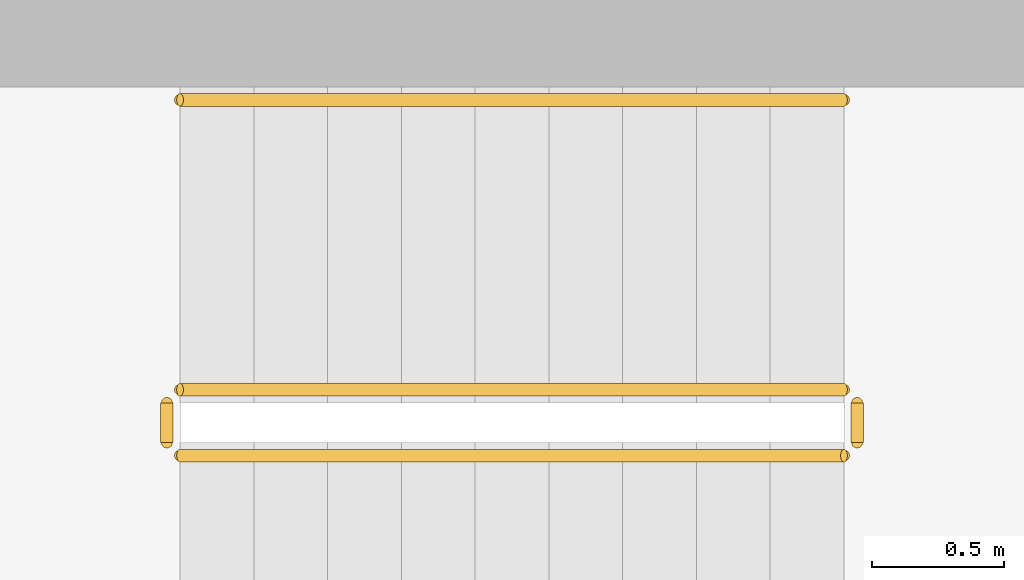
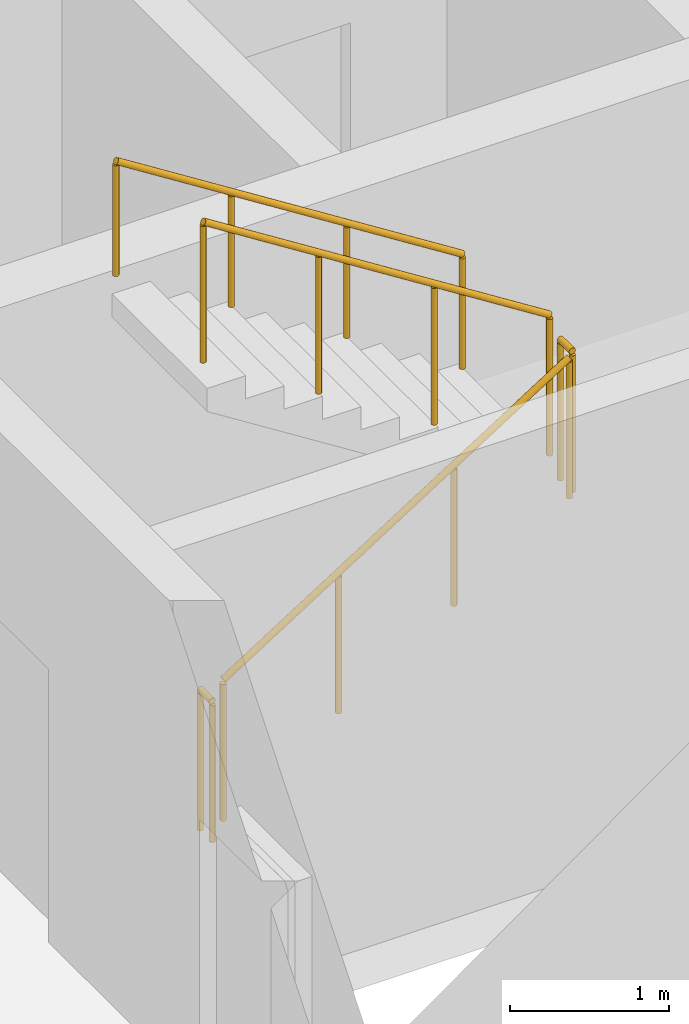
# One storey, part 15 of 17: 5 railings.
"""IFC4 building model written with IfcOpenShell, lengths in metres."""

from ifc_helpers import new_model, si_unit, direction, frame, origin, origin_2d, place, context, subcontext, project, spatial, circle, extrude, material, type_object, element, save


model = new_model("IFC4")

# Units and contexts
model_context = context("Model", 3, precision=1e-05, world=origin(), true_north=direction((0.0, 1.0)))
body_context = subcontext(model_context, "Body", "Model", "MODEL_VIEW")
ifc_project = project(units=[si_unit("LENGTHUNIT", "METRE"), si_unit("AREAUNIT", "SQUARE_METRE"), si_unit("VOLUMEUNIT", "CUBIC_METRE"), si_unit("PLANEANGLEUNIT", "RADIAN"), si_unit("MASSUNIT", "GRAM", prefix="KILO")], contexts=[model_context])

# Site, building, storey
site_placement = place(None, origin())
site = spatial("IfcSite", under=ifc_project, at=site_placement, CompositionType="ELEMENT")
building_placement = place(site_placement, origin())
building = spatial("IfcBuilding", under=site, at=building_placement, Name="Ostrand Prow Hotel Tower", CompositionType="ELEMENT")
storey_placement = place(building_placement, frame((0.0, 0.0, 162.14990234375)))
storey = spatial("IfcBuildingStorey", under=building, at=storey_placement, Name="L40", CompositionType="ELEMENT", Elevation=162.14990234375)

# Railings
ifc_material_1 = material(Name="Painted steel", Category="steel")
railing_type_1 = type_object("IfcRailingType", Name="Stair guard 1100", PredefinedType="GUARDRAIL", material=ifc_material_1)
railing_1_placement = place(storey_placement, frame((57.199951171875, -11.75, 0.177490234375)))
element("IfcRailing", 1, at=railing_1_placement, inside=storey, type_object=railing_type_1, Name="L40 ST2C stair guard 1", PredefinedType="GUARDRAIL", context=body_context, shape_type="SweptSolid", body=[
    extrude(circle(Radius=0.02392578125, at=origin_2d()), frame((0.0, 0.0, 1.076171875), z_axis=(0.84456994832, 0.0, 0.535445237532), x_axis=(0.0, 1.0, 0.0)), (0.0, 0.0, 1.0), 2.98388671875),
    extrude(circle(Radius=0.02099609375, at=origin_2d()), origin(), (0.0, 0.0, 1.0), 1.052001953125),
    extrude(circle(Radius=0.02099609375, at=origin_2d()), frame((0.840087890625, 0.0, 0.532470703125)), (0.0, 0.0, 1.0), 1.052001953125),
    extrude(circle(Radius=0.02099609375, at=origin_2d()), frame((1.679931640625, 0.0, 1.065185546875)), (0.0, 0.0, 1.0), 1.052001953125),
    extrude(circle(Radius=0.02099609375, at=origin_2d()), frame((2.52001953125, 0.0, 1.59765625)), (0.0, 0.0, 1.0), 1.052001953125),
])
railing_2_placement = place(storey_placement, frame((59.77001953125, -11.699951171875, 1.775146484375)))
element("IfcRailing", 2, at=railing_2_placement, inside=storey, type_object=railing_type_1, Name="L40 ST2C stair guard 2", PredefinedType="GUARDRAIL", context=body_context, shape_type="SweptSolid", body=[
    extrude(circle(Radius=0.02392578125, at=origin_2d()), frame((0.0, 0.0, 1.076171875), z_axis=(0.0, 1.0, 0.0), x_axis=(-1.0, 0.0, 0.0)), (0.0, 0.0, 1.0), 0.14990234375),
    extrude(circle(Radius=0.02099609375, at=origin_2d()), origin(), (0.0, 0.0, 1.0), 1.052001953125),
    extrude(circle(Radius=0.02099609375, at=origin_2d()), frame((0.0, 0.14990234375, 0.0)), (0.0, 0.0, 1.0), 1.052001953125),
])
railing_3_placement = place(storey_placement, frame((59.719970703125, -11.5, 1.95263671875)))
element("IfcRailing", 3, at=railing_3_placement, inside=storey, type_object=railing_type_1, Name="L40 ST2C stair guard 3", PredefinedType="GUARDRAIL", context=body_context, shape_type="SweptSolid", body=[
    extrude(circle(Radius=0.02392578125, at=origin_2d()), frame((0.0, 0.0, 1.076171875), z_axis=(-0.84460694969, 0.0, 0.535386869969), x_axis=(0.0, -1.0, 0.0)), (0.0, 0.0, 1.0), 2.983642578125),
    extrude(circle(Radius=0.02099609375, at=origin_2d()), origin(), (0.0, 0.0, 1.0), 1.052001953125),
    extrude(circle(Radius=0.02099609375, at=origin_2d()), frame((-0.840087890625, 0.0, 0.532470703125)), (0.0, 0.0, 1.0), 1.052001953125),
    extrude(circle(Radius=0.02099609375, at=origin_2d()), frame((-1.679931640625, 0.0, 1.06494140625)), (0.0, 0.0, 1.0), 1.052001953125),
    extrude(circle(Radius=0.02099609375, at=origin_2d()), frame((-2.52001953125, 0.0, 1.597412109375)), (0.0, 0.0, 1.0), 1.052001953125),
])
railing_4_placement = place(storey_placement, frame((57.14990234375, -11.699951171875, 0.0)))
element("IfcRailing", 4, at=railing_4_placement, inside=storey, type_object=railing_type_1, Name="L40 ST2C stair guard 4", PredefinedType="GUARDRAIL", context=body_context, shape_type="SweptSolid", body=[
    extrude(circle(Radius=0.02392578125, at=origin_2d()), frame((0.0, 0.0, 1.076171875), z_axis=(0.0, 1.0, 0.0), x_axis=(-1.0, 0.0, 0.0)), (0.0, 0.0, 1.0), 0.14990234375),
    extrude(circle(Radius=0.02099609375, at=origin_2d()), origin(), (0.0, 0.0, 1.0), 1.052001953125),
    extrude(circle(Radius=0.02099609375, at=origin_2d()), frame((0.0, 0.14990234375, 0.0)), (0.0, 0.0, 1.0), 1.052001953125),
])
ifc_material_2 = material(Name="Stainless steel", Category="steel")
railing_type_2 = type_object("IfcRailingType", Name="Stair handrail 900", PredefinedType="HANDRAIL", material=ifc_material_2)
railing_5_placement = place(storey_placement, frame((59.719970703125, -10.39990234375, 1.95263671875)))
element("IfcRailing", 5, at=railing_5_placement, inside=storey, type_object=railing_type_2, Name="L40 ST2C stair handrail 2", PredefinedType="HANDRAIL", context=body_context, shape_type="SweptSolid", body=[
    extrude(circle(Radius=0.02392578125, at=origin_2d()), frame((0.0, 0.0, 0.8759765625), z_axis=(-0.84460694969, 0.0, 0.535386869969), x_axis=(0.0, -1.0, 0.0)), (0.0, 0.0, 1.0), 2.983642578125),
    extrude(circle(Radius=0.02099609375, at=origin_2d()), origin(), (0.0, 0.0, 1.0), 0.851806640625),
    extrude(circle(Radius=0.02099609375, at=origin_2d()), frame((-0.840087890625, 0.0, 0.532470703125)), (0.0, 0.0, 1.0), 0.851806640625),
    extrude(circle(Radius=0.02099609375, at=origin_2d()), frame((-1.679931640625, 0.0, 1.06494140625)), (0.0, 0.0, 1.0), 0.851806640625),
    extrude(circle(Radius=0.02099609375, at=origin_2d()), frame((-2.52001953125, 0.0, 1.597412109375)), (0.0, 0.0, 1.0), 0.851806640625),
])

save(model, "model.ifc")
